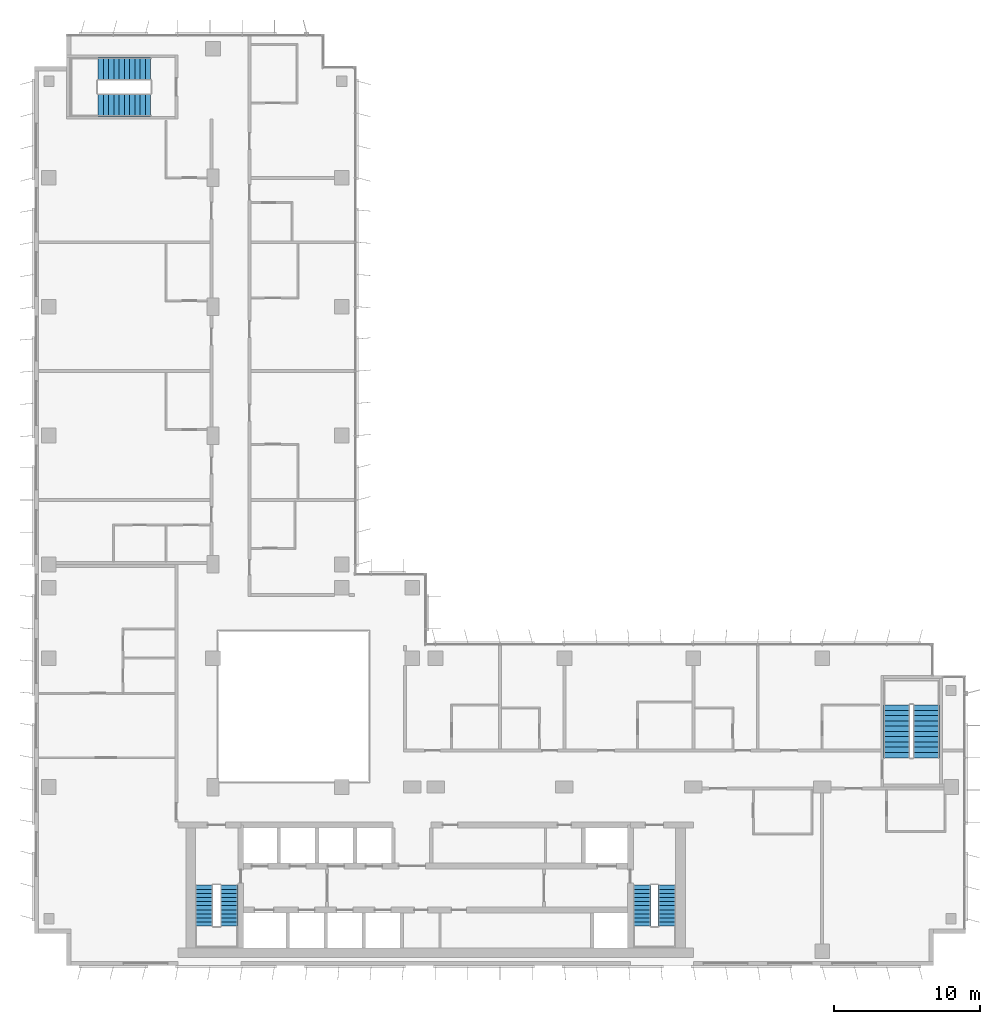
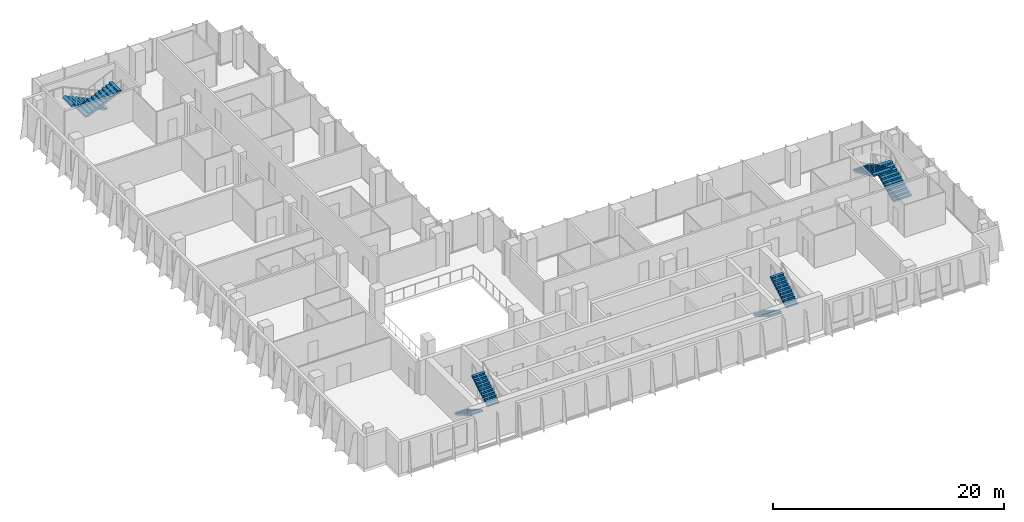
# One storey, part 17 of 20: 8 stair flights, 4 elements without a shape of their own.
"""IFC4 building model written with IfcOpenShell, lengths in metres."""

from ifc_helpers import new_model, si_unit, direction, frame, origin, place, context, subcontext, project, spatial, polyline, outline, extrude, material, type_object, element, aggregate, save


model = new_model("IFC4")

# Units and contexts
model_context = context("Model", 3, precision=1e-05, world=origin(), true_north=direction((0.0, 1.0)))
body_context = subcontext(model_context, "Body", "Model", "MODEL_VIEW")
ifc_project = project(units=[si_unit("LENGTHUNIT", "METRE"), si_unit("AREAUNIT", "SQUARE_METRE"), si_unit("VOLUMEUNIT", "CUBIC_METRE"), si_unit("PLANEANGLEUNIT", "RADIAN"), si_unit("MASSUNIT", "GRAM", prefix="KILO")], contexts=[model_context])

# Site, building, storey
site_placement = place(None, origin())
site = spatial("IfcSite", under=ifc_project, at=site_placement, CompositionType="ELEMENT")
building_placement = place(site_placement, origin())
building = spatial("IfcBuilding", under=site, at=building_placement, Name="Kemantara Hotel Tower", CompositionType="ELEMENT")
storey_placement = place(building_placement, frame((0.0, 0.0, 186.39990234375)))
storey = spatial("IfcBuildingStorey", under=building, at=storey_placement, Name="L46", CompositionType="ELEMENT", Elevation=186.39990234375)

# Stair, stair flights
ifc_material = material(Name="Concrete fc 40 MPa", Category="concrete")
stair_type_1 = type_object("IfcStairType", Name="Stair 1200 wide 22 risers of 168 x 280 mm", PredefinedType="HALF_TURN_STAIR", material=ifc_material)
stair_1_placement = place(storey_placement, origin())
stair_1 = element("IfcStair", 1, at=stair_1_placement, inside=storey, type_object=stair_type_1, Name="L46 Exit stair ST1", PredefinedType="HALF_TURN_STAIR")
stair_flight_type_1 = type_object("IfcStairFlightType", Name="Stair flight 1200 wide 168 x 280 mm", PredefinedType="STRAIGHT", material=ifc_material)
stair_flight_1_placement = place(storey_placement, frame((11.60009765625, 5.5, 0.0), z_axis=(0.0, 0.0, 1.0), x_axis=(0.0, -1.0, 0.0)))
stair_flight_1 = element("IfcStairFlight", 2, at=stair_flight_1_placement, type_object=stair_flight_type_1, Name="ST1 flight 1", NumberOfRisers=11, NumberOfTreads=10, PredefinedType="STRAIGHT", RiserHeight=0.168181818, TreadLength=0.28, context=body_context, shape_type="SweptSolid", body=[
    extrude(outline(polyline([(0.0, 0.0), (0.0, 0.168212890625), (0.280029296875, 0.168212890625), (0.280029296875, 0.33642578125), (0.56005859375, 0.33642578125), (0.56005859375, 0.504638671875), (0.840087890625, 0.504638671875), (0.840087890625, 0.672607421875), (1.1201171875, 0.672607421875), (1.1201171875, 0.8408203125), (1.39990234375, 0.8408203125), (1.39990234375, 1.009033203125), (1.679931640625, 1.009033203125), (1.679931640625, 1.17724609375), (1.9599609375, 1.17724609375), (1.9599609375, 1.345458984375), (2.239990234375, 1.345458984375), (2.239990234375, 1.513671875), (2.52001953125, 1.513671875), (2.52001953125, 1.681884765625), (2.800048828125, 1.681884765625), (2.800048828125, 1.85009765625), (2.800048828125, 1.5068359375), (0.291015625, 0.0), (0.0, 0.0)])), frame((0.0, 0.60009765625, 0.0), z_axis=(0.0, -1.0, 0.0), x_axis=(1.0, 0.0, 0.0)), (0.0, 0.0, 1.0), 1.199951171875),
])
stair_flight_2_placement = place(storey_placement, frame((13.300048828125, 2.699951171875, 1.85009765625), z_axis=(0.0, 0.0, 1.0), x_axis=(0.0, 1.0, 0.0)))
stair_flight_2 = element("IfcStairFlight", 3, at=stair_flight_2_placement, type_object=stair_flight_type_1, Name="ST1 flight 2", NumberOfRisers=11, NumberOfTreads=10, PredefinedType="STRAIGHT", RiserHeight=0.168181818, TreadLength=0.28, context=body_context, shape_type="SweptSolid", body=[
    extrude(outline(polyline([(0.0, 0.0), (0.0, 0.168212890625), (0.280029296875, 0.168212890625), (0.280029296875, 0.33642578125), (0.56005859375, 0.33642578125), (0.56005859375, 0.504638671875), (0.840087890625, 0.504638671875), (0.840087890625, 0.672607421875), (1.1201171875, 0.672607421875), (1.1201171875, 0.8408203125), (1.39990234375, 0.8408203125), (1.39990234375, 1.009033203125), (1.679931640625, 1.009033203125), (1.679931640625, 1.17724609375), (1.9599609375, 1.17724609375), (1.9599609375, 1.345458984375), (2.239990234375, 1.345458984375), (2.239990234375, 1.513671875), (2.52001953125, 1.513671875), (2.52001953125, 1.681884765625), (2.800048828125, 1.681884765625), (2.800048828125, 1.85009765625), (2.800048828125, 1.5068359375), (0.291015625, 0.0), (0.0, 0.0)])), frame((0.0, 0.60009765625, 0.0), z_axis=(0.0, -1.0, 0.0), x_axis=(1.0, 0.0, 0.0)), (0.0, 0.0, 1.0), 1.199951171875),
])
aggregate(stair_1, [stair_flight_1, stair_flight_2])

stair_2_placement = place(storey_placement, origin())
stair_2 = element("IfcStair", 4, at=stair_2_placement, inside=storey, type_object=stair_type_1, Name="L46 Exit stair ST2", PredefinedType="HALF_TURN_STAIR")
stair_flight_3_placement = place(storey_placement, frame((41.5, 5.5, 0.0), z_axis=(0.0, 0.0, 1.0), x_axis=(0.0, -1.0, 0.0)))
stair_flight_3 = element("IfcStairFlight", 5, at=stair_flight_3_placement, type_object=stair_flight_type_1, Name="ST2 flight 1", NumberOfRisers=11, NumberOfTreads=10, PredefinedType="STRAIGHT", RiserHeight=0.168181818, TreadLength=0.28, context=body_context, shape_type="SweptSolid", body=[
    extrude(outline(polyline([(0.0, 0.0), (0.0, 0.168212890625), (0.280029296875, 0.168212890625), (0.280029296875, 0.33642578125), (0.56005859375, 0.33642578125), (0.56005859375, 0.504638671875), (0.840087890625, 0.504638671875), (0.840087890625, 0.672607421875), (1.1201171875, 0.672607421875), (1.1201171875, 0.8408203125), (1.39990234375, 0.8408203125), (1.39990234375, 1.009033203125), (1.679931640625, 1.009033203125), (1.679931640625, 1.17724609375), (1.9599609375, 1.17724609375), (1.9599609375, 1.345458984375), (2.239990234375, 1.345458984375), (2.239990234375, 1.513671875), (2.52001953125, 1.513671875), (2.52001953125, 1.681884765625), (2.800048828125, 1.681884765625), (2.800048828125, 1.85009765625), (2.800048828125, 1.5068359375), (0.291015625, 0.0), (0.0, 0.0)])), frame((0.0, 0.60009765625, 0.0), z_axis=(0.0, -1.0, 0.0), x_axis=(1.0, 0.0, 0.0)), (0.0, 0.0, 1.0), 1.199951171875),
])
stair_flight_4_placement = place(storey_placement, frame((43.199951171875, 2.699951171875, 1.85009765625), z_axis=(0.0, 0.0, 1.0), x_axis=(0.0, 1.0, 0.0)))
stair_flight_4 = element("IfcStairFlight", 6, at=stair_flight_4_placement, type_object=stair_flight_type_1, Name="ST2 flight 2", NumberOfRisers=11, NumberOfTreads=10, PredefinedType="STRAIGHT", RiserHeight=0.168181818, TreadLength=0.28, context=body_context, shape_type="SweptSolid", body=[
    extrude(outline(polyline([(0.0, 0.0), (0.0, 0.168212890625), (0.280029296875, 0.168212890625), (0.280029296875, 0.33642578125), (0.56005859375, 0.33642578125), (0.56005859375, 0.504638671875), (0.840087890625, 0.504638671875), (0.840087890625, 0.672607421875), (1.1201171875, 0.672607421875), (1.1201171875, 0.8408203125), (1.39990234375, 0.8408203125), (1.39990234375, 1.009033203125), (1.679931640625, 1.009033203125), (1.679931640625, 1.17724609375), (1.9599609375, 1.17724609375), (1.9599609375, 1.345458984375), (2.239990234375, 1.345458984375), (2.239990234375, 1.513671875), (2.52001953125, 1.513671875), (2.52001953125, 1.681884765625), (2.800048828125, 1.681884765625), (2.800048828125, 1.85009765625), (2.800048828125, 1.5068359375), (0.291015625, 0.0), (0.0, 0.0)])), frame((0.0, 0.60009765625, 0.0), z_axis=(0.0, -1.0, 0.0), x_axis=(1.0, 0.0, 0.0)), (0.0, 0.0, 1.0), 1.199951171875),
])
aggregate(stair_2, [stair_flight_3, stair_flight_4])

stair_type_2 = type_object("IfcStairType", Name="Stair 1550 wide 22 risers of 168 x 360 mm", PredefinedType="HALF_TURN_STAIR", material=ifc_material)
stair_3_placement = place(storey_placement, origin())
stair_3 = element("IfcStair", 7, at=stair_3_placement, inside=storey, type_object=stair_type_2, Name="L46 Exit stair ST4", PredefinedType="HALF_TURN_STAIR")
stair_flight_type_2 = type_object("IfcStairFlightType", Name="Stair flight 1550 wide 168 x 360 mm", PredefinedType="STRAIGHT", material=ifc_material)
stair_flight_5_placement = place(storey_placement, frame((7.949951171875, 61.22509765625, 0.0), z_axis=(0.0, 0.0, 1.0), x_axis=(-1.0, 0.0, 0.0)))
stair_flight_5 = element("IfcStairFlight", 8, at=stair_flight_5_placement, type_object=stair_flight_type_2, Name="ST4 flight 1", NumberOfRisers=11, NumberOfTreads=10, PredefinedType="STRAIGHT", RiserHeight=0.168181818, TreadLength=0.36, context=body_context, shape_type="SweptSolid", body=[
    extrude(outline(polyline([(0.0, 0.0), (0.0, 0.168212890625), (0.360107421875, 0.168212890625), (0.360107421875, 0.33642578125), (0.719970703125, 0.33642578125), (0.719970703125, 0.504638671875), (1.080078125, 0.504638671875), (1.080078125, 0.672607421875), (1.43994140625, 0.672607421875), (1.43994140625, 0.8408203125), (1.800048828125, 0.8408203125), (1.800048828125, 1.009033203125), (2.159912109375, 1.009033203125), (2.159912109375, 1.17724609375), (2.52001953125, 1.17724609375), (2.52001953125, 1.345458984375), (2.8798828125, 1.345458984375), (2.8798828125, 1.513671875), (3.239990234375, 1.513671875), (3.239990234375, 1.681884765625), (3.60009765625, 1.681884765625), (3.60009765625, 1.85009765625), (3.60009765625, 1.516357421875), (0.354248046875, 0.0), (0.0, 0.0)])), frame((0.0, 0.77490234375, 0.0), z_axis=(0.0, -1.0, 0.0), x_axis=(1.0, 0.0, 0.0)), (0.0, 0.0, 1.0), 1.550048828125),
])
stair_flight_6_placement = place(storey_placement, frame((4.35009765625, 58.77490234375, 1.85009765625), z_axis=(0.0, 0.0, 1.0), x_axis=(1.0, 0.0, 0.0)))
stair_flight_6 = element("IfcStairFlight", 9, at=stair_flight_6_placement, type_object=stair_flight_type_2, Name="ST4 flight 2", NumberOfRisers=11, NumberOfTreads=10, PredefinedType="STRAIGHT", RiserHeight=0.168181818, TreadLength=0.36, context=body_context, shape_type="SweptSolid", body=[
    extrude(outline(polyline([(0.0, 0.0), (0.0, 0.168212890625), (0.360107421875, 0.168212890625), (0.360107421875, 0.33642578125), (0.719970703125, 0.33642578125), (0.719970703125, 0.504638671875), (1.080078125, 0.504638671875), (1.080078125, 0.672607421875), (1.43994140625, 0.672607421875), (1.43994140625, 0.8408203125), (1.800048828125, 0.8408203125), (1.800048828125, 1.009033203125), (2.159912109375, 1.009033203125), (2.159912109375, 1.17724609375), (2.52001953125, 1.17724609375), (2.52001953125, 1.345458984375), (2.8798828125, 1.345458984375), (2.8798828125, 1.513671875), (3.239990234375, 1.513671875), (3.239990234375, 1.681884765625), (3.60009765625, 1.681884765625), (3.60009765625, 1.85009765625), (3.60009765625, 1.516357421875), (0.354248046875, 0.0), (0.0, 0.0)])), frame((0.0, 0.77490234375, 0.0), z_axis=(0.0, -1.0, 0.0), x_axis=(1.0, 0.0, 0.0)), (0.0, 0.0, 1.0), 1.550048828125),
])
aggregate(stair_3, [stair_flight_5, stair_flight_6])

stair_type_3 = type_object("IfcStairType", Name="Stair 1800 wide 22 risers of 168 x 360 mm", PredefinedType="HALF_TURN_STAIR", material=ifc_material)
stair_4_placement = place(storey_placement, origin())
stair_4 = element("IfcStair", 10, at=stair_4_placement, inside=storey, type_object=stair_type_3, Name="L46 Exit stair ST3", PredefinedType="HALF_TURN_STAIR")
stair_flight_type_3 = type_object("IfcStairFlightType", Name="Stair flight 1800 wide 168 x 360 mm", PredefinedType="STRAIGHT", material=ifc_material)
stair_flight_7_placement = place(storey_placement, frame((60.89990234375, 14.199951171875, 0.0), z_axis=(0.0, 0.0, 1.0), x_axis=(0.0, 1.0, 0.0)))
stair_flight_7 = element("IfcStairFlight", 11, at=stair_flight_7_placement, type_object=stair_flight_type_3, Name="ST3 flight 1", NumberOfRisers=11, NumberOfTreads=10, PredefinedType="STRAIGHT", RiserHeight=0.168181818, TreadLength=0.36, context=body_context, shape_type="SweptSolid", body=[
    extrude(outline(polyline([(0.0, 0.0), (0.0, 0.168212890625), (0.360107421875, 0.168212890625), (0.360107421875, 0.33642578125), (0.719970703125, 0.33642578125), (0.719970703125, 0.504638671875), (1.080078125, 0.504638671875), (1.080078125, 0.672607421875), (1.43994140625, 0.672607421875), (1.43994140625, 0.8408203125), (1.800048828125, 0.8408203125), (1.800048828125, 1.009033203125), (2.159912109375, 1.009033203125), (2.159912109375, 1.17724609375), (2.52001953125, 1.17724609375), (2.52001953125, 1.345458984375), (2.8798828125, 1.345458984375), (2.8798828125, 1.513671875), (3.239990234375, 1.513671875), (3.239990234375, 1.681884765625), (3.60009765625, 1.681884765625), (3.60009765625, 1.85009765625), (3.60009765625, 1.516357421875), (0.354248046875, 0.0), (0.0, 0.0)])), frame((0.0, 0.89990234375, 0.0), z_axis=(0.0, -1.0, 0.0), x_axis=(1.0, 0.0, 0.0)), (0.0, 0.0, 1.0), 1.800048828125),
])
stair_flight_8_placement = place(storey_placement, frame((58.89990234375, 17.800048828125, 1.85009765625), z_axis=(0.0, 0.0, 1.0), x_axis=(0.0, -1.0, 0.0)))
stair_flight_8 = element("IfcStairFlight", 12, at=stair_flight_8_placement, type_object=stair_flight_type_3, Name="ST3 flight 2", NumberOfRisers=11, NumberOfTreads=10, PredefinedType="STRAIGHT", RiserHeight=0.168181818, TreadLength=0.36, context=body_context, shape_type="SweptSolid", body=[
    extrude(outline(polyline([(0.0, 0.0), (0.0, 0.168212890625), (0.360107421875, 0.168212890625), (0.360107421875, 0.33642578125), (0.719970703125, 0.33642578125), (0.719970703125, 0.504638671875), (1.080078125, 0.504638671875), (1.080078125, 0.672607421875), (1.43994140625, 0.672607421875), (1.43994140625, 0.8408203125), (1.800048828125, 0.8408203125), (1.800048828125, 1.009033203125), (2.159912109375, 1.009033203125), (2.159912109375, 1.17724609375), (2.52001953125, 1.17724609375), (2.52001953125, 1.345458984375), (2.8798828125, 1.345458984375), (2.8798828125, 1.513671875), (3.239990234375, 1.513671875), (3.239990234375, 1.681884765625), (3.60009765625, 1.681884765625), (3.60009765625, 1.85009765625), (3.60009765625, 1.516357421875), (0.354248046875, 0.0), (0.0, 0.0)])), frame((0.0, 0.89990234375, 0.0), z_axis=(0.0, -1.0, 0.0), x_axis=(1.0, 0.0, 0.0)), (0.0, 0.0, 1.0), 1.800048828125),
])
aggregate(stair_4, [stair_flight_7, stair_flight_8])

save(model, "model.ifc")
